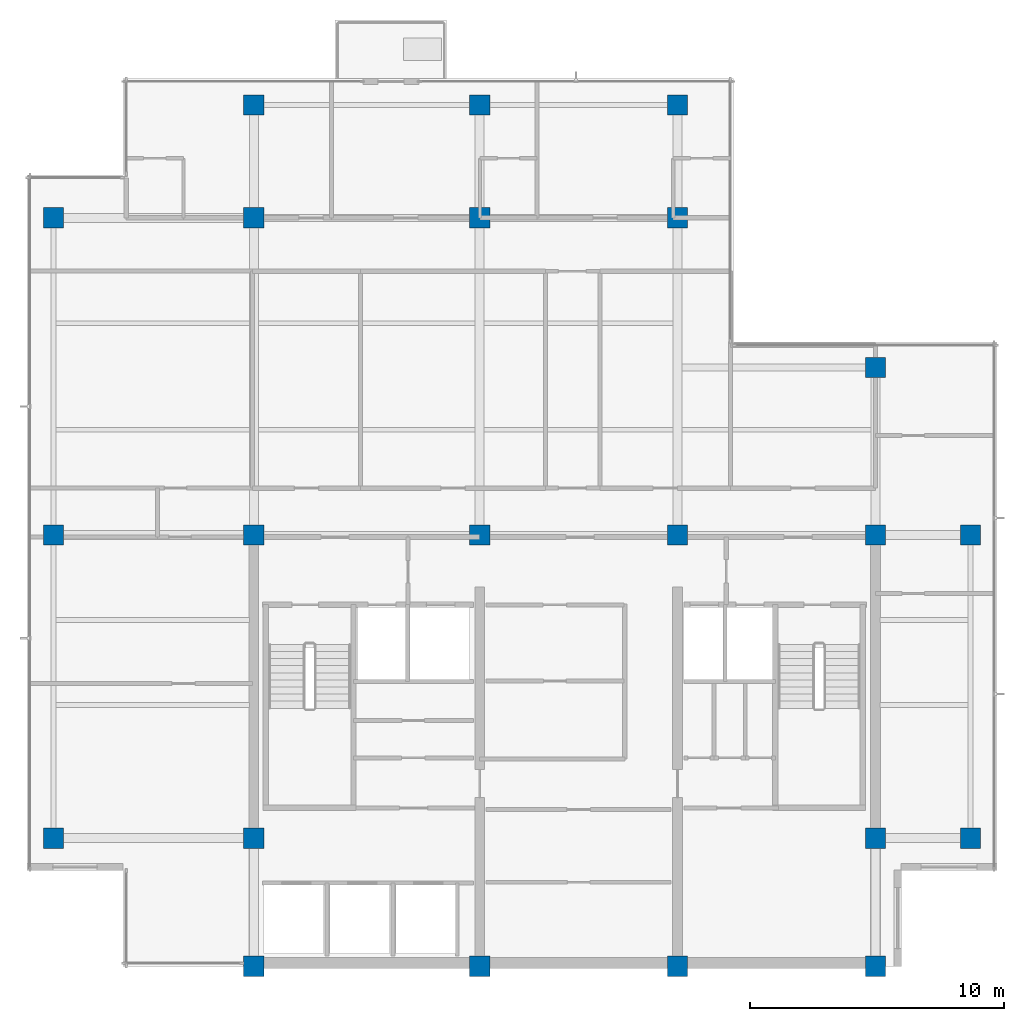
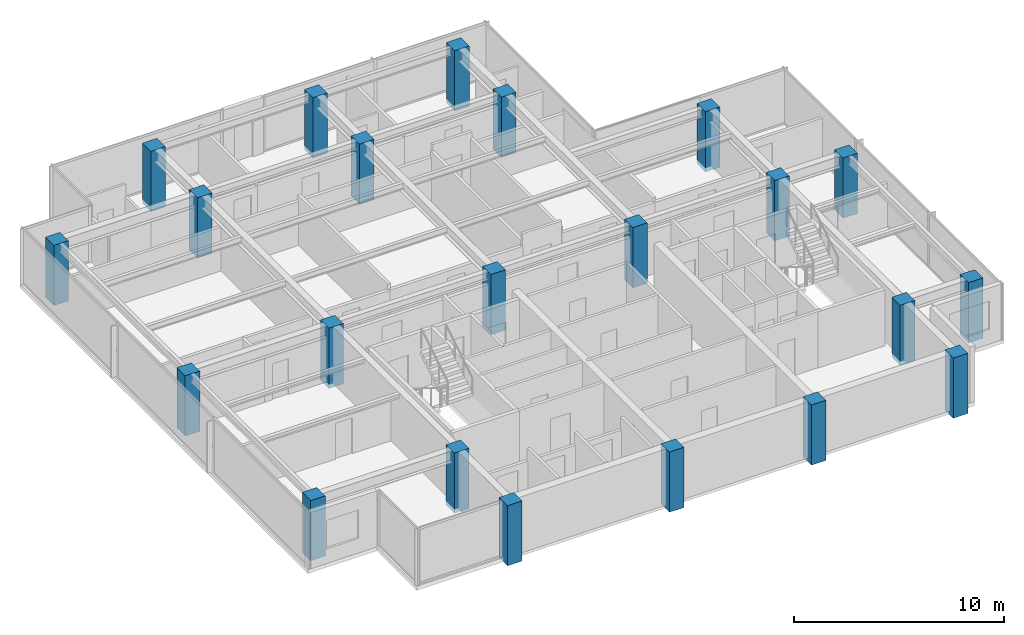
# One storey, part 1 of 11: 22 columns.
"""IFC4 building model written with IfcOpenShell, lengths in metres."""

from ifc_helpers import new_model, si_unit, direction, frame, origin, origin_2d, place, context, subcontext, project, spatial, rectangle, extrude, material, material_profile, profile_set, type_object, element, save


model = new_model("IFC4")

# Units and contexts
model_context = context("Model", 3, precision=1e-05, world=origin(), true_north=direction((0.0, 1.0)))
body_context = subcontext(model_context, "Body", "Model", "MODEL_VIEW")
ifc_project = project(units=[si_unit("LENGTHUNIT", "METRE"), si_unit("AREAUNIT", "SQUARE_METRE"), si_unit("VOLUMEUNIT", "CUBIC_METRE"), si_unit("PLANEANGLEUNIT", "RADIAN"), si_unit("MASSUNIT", "GRAM", prefix="KILO")], contexts=[model_context])

# Site, building, storey
site_placement = place(None, origin())
site = spatial("IfcSite", under=ifc_project, at=site_placement, CompositionType="ELEMENT")
building_placement = place(site_placement, origin())
building = spatial("IfcBuilding", under=site, at=building_placement, Name="Qalmaran Belvedere Hotel", CompositionType="ELEMENT")
storey_placement = place(building_placement, frame((0.0, 0.0, 245.89990234375)))
storey = spatial("IfcBuildingStorey", under=building, at=storey_placement, Name="L63", CompositionType="ELEMENT", Elevation=245.89990234375)

# Columns
ifc_material = material(Name="Concrete C50/60", Category="concrete")
ifc_material_profile = material_profile(ifc_material, rectangle(XDim=0.800048828125, YDim=0.800048828125, at=origin_2d()), Name="CC800X800")
ifc_profile_set = profile_set([ifc_material_profile], Name="Concrete C50/60")
column_type = type_object("IfcColumnType", Name="COL-Z5-CC800", PredefinedType="COLUMN", material=ifc_profile_set)
for number, where, z_axis, x_axis, name in (
    (1, (20.300048828125, 3.5, -0.239990234375), (0.0, 0.0, 1.0), (1.0, 0.0, 0.0), "L63 Column C4B"),
    (2, (29.199951171875, 3.5, -0.239990234375), (0.0, 0.0, 1.0), (1.0, 0.0, 0.0), "L63 Column C5B"),
    (3, (37.0, 3.5, -0.239990234375), (0.0, 0.0, 1.0), (1.0, 0.0, 0.0), "L63 Column C6B"),
    (4, (44.800048828125, 3.5, -0.239990234375), (0.0, 0.0, 1.0), (1.0, 0.0, 0.0), "L63 Column C7B"),
    (5, (20.300048828125, 8.550048828125, -0.239990234375), (0.0, 0.0, 1.0), (1.0, 0.0, 0.0), "L63 Column C4C"),
    (6, (44.800048828125, 8.550048828125, -0.239990234375), (0.0, 0.0, 1.0), (1.0, 0.0, 0.0), "L63 Column C7C"),
    (7, (20.300048828125, 20.5, -0.239990234375), (0.0, 0.0, 1.0), (1.0, 0.0, 0.0), "L63 Column C4D"),
    (8, (29.199951171875, 20.5, -0.239990234375), (0.0, 0.0, 1.0), (1.0, 0.0, 0.0), "L63 Column C5D"),
    (9, (37.0, 20.5, -0.239990234375), (0.0, 0.0, 1.0), (1.0, 0.0, 0.0), "L63 Column C6D"),
    (10, (44.800048828125, 20.5, -0.239990234375), (0.0, 0.0, 1.0), (1.0, 0.0, 0.0), "L63 Column C7D"),
    (11, (20.300048828125, 33.0, -0.239990234375), (0.0, 0.0, 1.0), (1.0, 0.0, 0.0), "L63 Column C4F"),
    (12, (29.199951171875, 33.0, -0.239990234375), (0.0, 0.0, 1.0), (1.0, 0.0, 0.0), "L63 Column C5F"),
    (13, (37.0, 33.0, -0.239990234375), (0.0, 0.0, 1.0), (1.0, 0.0, 0.0), "L63 Column C6F"),
    (14, (44.800048828125, 27.10009765625, -0.239990234375), (0.0, 0.0, 1.0), (1.0, 0.0, 0.0), "L63 Column C7E"),
    (15, (12.39990234375, 8.550048828125, -0.239990234375), (0.0, 0.0, 1.0), (1.0, 0.0, 0.0), "L63 Column CW1"),
    (16, (12.39990234375, 20.5, -0.239990234375), (0.0, 0.0, 1.0), (1.0, 0.0, 0.0), "L63 Column CW3"),
    (17, (12.39990234375, 33.0, -0.239990234375), (0.0, 0.0, 1.0), (1.0, 0.0, 0.0), "L63 Column CW4"),
    (18, (48.550048828125, 8.550048828125, -0.239990234375), (0.0, 0.0, 1.0), (1.0, 0.0, 0.0), "L63 Column CE1"),
    (19, (48.550048828125, 20.5, -0.239990234375), (0.0, 0.0, 1.0), (1.0, 0.0, 0.0), "L63 Column CE3"),
    (20, (20.300048828125, 37.449951171875, -0.239990234375), (0.0, 0.0, 1.0), (1.0, 0.0, 0.0), "L63 Column CN1"),
    (21, (29.199951171875, 37.449951171875, -0.239990234375), (0.0, 0.0, 1.0), (1.0, 0.0, 0.0), "L63 Column CN2"),
    (22, (37.0, 37.449951171875, -0.239990234375), (0.0, 0.0, 1.0), (1.0, 0.0, 0.0), "L63 Column CN3"),
):
    element("IfcColumn", number, at=place(storey_placement, frame(where, z_axis=z_axis, x_axis=x_axis)), inside=storey, type_object=column_type, Name=name, PredefinedType="COLUMN", context=body_context, shape_type="SweptSolid", body=[
        extrude(rectangle(XDim=0.800048828125, YDim=0.800048828125, at=origin_2d()), origin(), (0.0, 0.0, 1.0), 3.5),
    ])

save(model, "model.ifc")
